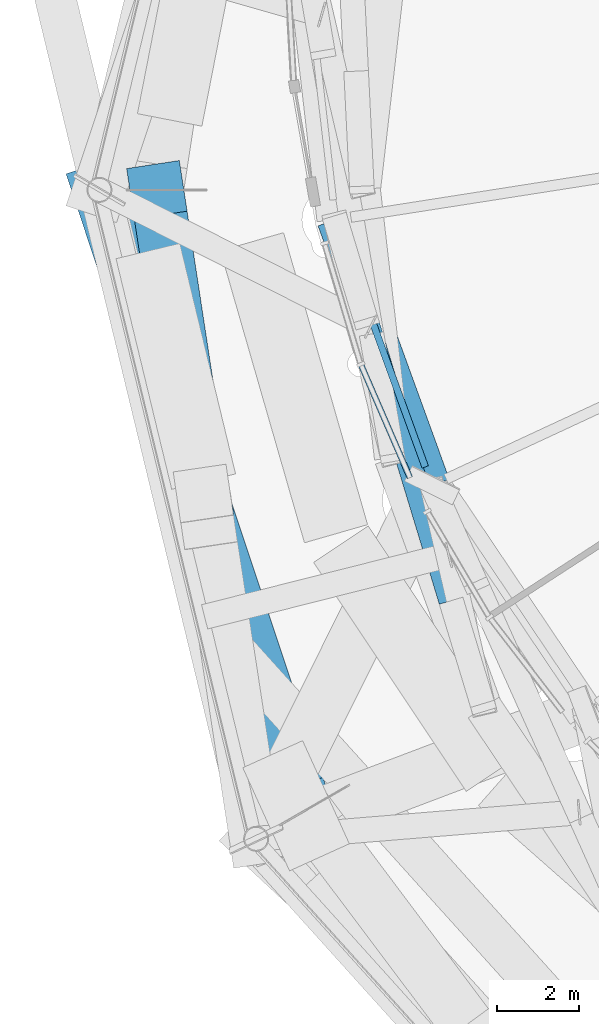
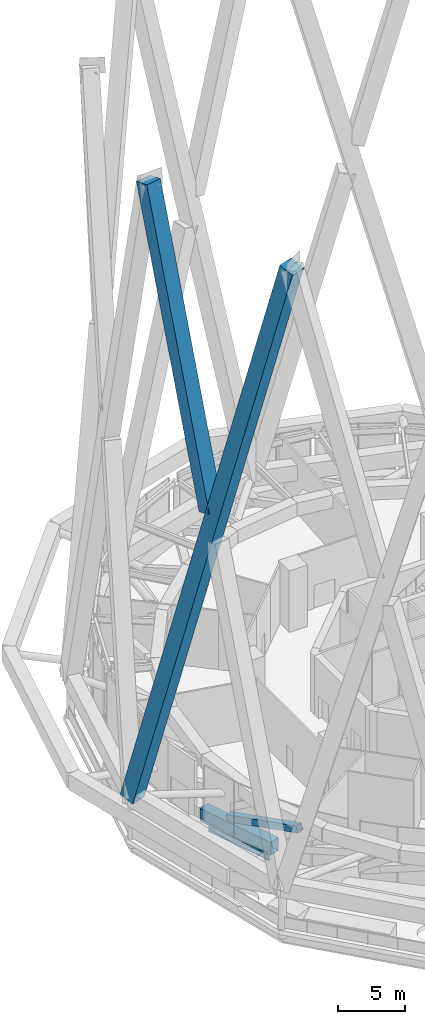
# One storey, part 5 of 48: 3 beams, 3 members, 1 element without a shape of its own.
"""IFC4 building model written with IfcOpenShell, lengths in metres."""

from ifc_helpers import new_model, si_unit, direction, frame, origin, origin_2d, place, context, subcontext, project, spatial, rectangle, hollow_rectangle, i_section, extrude, material, layer, layer_set, material_profile, profile_set, type_object, element, aggregate, save


model = new_model("IFC4")

# Units and contexts
model_context = context("Model", 3, precision=1e-05, world=origin(), true_north=direction((0.0, 1.0)))
body_context = subcontext(model_context, "Body", "Model", "MODEL_VIEW")
ifc_project = project(units=[si_unit("LENGTHUNIT", "METRE"), si_unit("AREAUNIT", "SQUARE_METRE"), si_unit("VOLUMEUNIT", "CUBIC_METRE"), si_unit("PLANEANGLEUNIT", "RADIAN"), si_unit("MASSUNIT", "GRAM", prefix="KILO")], contexts=[model_context])

# Site, building, storey
site_placement = place(None, origin())
site = spatial("IfcSite", under=ifc_project, at=site_placement, CompositionType="ELEMENT")
building_placement = place(site_placement, origin())
building = spatial("IfcBuilding", under=site, at=building_placement, Name="Nagisa Residences", CompositionType="ELEMENT")
storey_placement = place(building_placement, frame((0.0, 0.0, 252.89990234375)))
storey = spatial("IfcBuildingStorey", under=building, at=storey_placement, Name="L64", CompositionType="ELEMENT", Elevation=252.89990234375)

# Beams
ifc_material_1 = material(Name="Steel ASTM A572 Gr 50", Category="steel")
ifc_material_profile_1 = material_profile(ifc_material_1, hollow_rectangle(XDim=0.89990234375, YDim=1.199951171875, WallThickness=0.0400390625, at=origin_2d()), Name="BX 900x1200x40")
ifc_profile_set_1 = profile_set([ifc_material_profile_1], Name="Steel ASTM A572 Gr 50")
beam_type_1 = type_object("IfcBeamType", Name="Belt chord 5 BX 900x1200x40", PredefinedType="BEAM", material=ifc_profile_set_1)
beam_1_placement = place(storey_placement, frame((-24.56689453125, -3.842041015625, 0.60009765625), z_axis=(0.341285604101, -0.939959646173, 0.0), x_axis=(0.939959646173, 0.341285604101, 0.0)))
element("IfcBeam", 1, at=beam_1_placement, inside=storey, type_object=beam_type_1, Name="beam:L64:bt5b14", PredefinedType="BEAM", context=body_context, shape_type="SweptSolid", body=[
    extrude(hollow_rectangle(XDim=0.89990234375, YDim=1.199951171875, WallThickness=0.0400390625, at=origin_2d()), origin(), (0.0, 0.0, 1.0), 6.899658203125),
])
ifc_material_2 = material(Name="Steel ASTM A572 Gr 50", Category="steel")
ifc_material_profile_2 = material_profile(ifc_material_2, hollow_rectangle(XDim=0.60009765625, YDim=0.60009765625, WallThickness=0.034912109375, at=origin_2d()), Name="BX 600x600x35")
ifc_profile_set_2 = profile_set([ifc_material_profile_2], Name="Steel ASTM A572 Gr 50")
beam_type_2 = type_object("IfcBeamType", Name="Belt diagonal 5 BX 600x600x35", PredefinedType="BEAM", material=ifc_profile_set_2)
beam_2_placement = place(storey_placement, frame((-23.8037109375, -6.356201171875, 1.47509765625), z_axis=(0.275546381382, -0.907879655091, 0.315956838157), x_axis=(0.956898135866, 0.290423755187, 0.0)))
element("IfcBeam", 2, at=beam_2_placement, inside=storey, type_object=beam_type_2, Name="beam:L64:bt5db14", PredefinedType="BEAM", context=body_context, shape_type="SweptSolid", body=[
    extrude(hollow_rectangle(XDim=0.60009765625, YDim=0.60009765625, WallThickness=0.034912109375, at=origin_2d()), origin(), (0.0, 0.0, 1.0), 7.56396484375),
])

# Curtain wall, member
ifc_material_3 = material(Name="Aluminium curtain wall system", Category="aluminium")
ifc_layer = layer(ifc_material_3, 0.159912109375)
ifc_layer_set = layer_set([ifc_layer], Name="CW2 CURTAIN WALL")
curtain_wall_type = type_object("IfcCurtainWallType", Name="CW2 CURTAIN WALL", PredefinedType="NOTDEFINED", material=ifc_layer_set)
curtain_wall_placement = place(storey_placement, origin())
curtain_wall = element("IfcCurtainWall", 3, at=curtain_wall_placement, inside=storey, type_object=curtain_wall_type, Name="cw:CW2:L64:27", PredefinedType="NOTDEFINED")
ifc_material_4 = material(Name="Aluminium", Category="aluminium")
ifc_material_profile_3 = material_profile(ifc_material_4, rectangle(XDim=0.139892578125, YDim=0.179931640625, at=origin_2d()), Name="CW2 TRANSOM 140x180")
ifc_profile_set_3 = profile_set([ifc_material_profile_3], Name="Aluminium")
member_type_1 = type_object("IfcMemberType", Name="CW2 TRANSOM 140x180", PredefinedType="USERDEFINED", material=ifc_profile_set_3)
member_1_placement = place(storey_placement, frame((-23.96435546875, -7.332275390625, 0.090087890625), z_axis=(0.397652335812, -0.917536168128, 0.0), x_axis=(0.917536168128, 0.397652335812, 0.0)))
member_1 = element("IfcMember", 4, at=member_1_placement, type_object=member_type_1, Name="CW2 transom", ObjectType="TRANSOM", PredefinedType="USERDEFINED", context=body_context, shape_type="SweptSolid", body=[
    extrude(rectangle(XDim=0.139892578125, YDim=0.179931640625, at=origin_2d()), origin(), (0.0, 0.0, 1.0), 3.052001953125),
])
aggregate(curtain_wall, [member_1])

# Members
ifc_material_5 = material(Name="Concrete C80", Category="concrete")
ifc_material_profile_4 = material_profile(ifc_material_5, rectangle(XDim=1.300048828125, YDim=1.300048828125, at=origin_2d()), Name="C80 1300x1300")
ifc_profile_set_4 = profile_set([ifc_material_profile_4], Name="Concrete C80")
member_type_2 = type_object("IfcMemberType", Name="Cage diagonal 6 C80 1300x1300", PredefinedType="BRACE", material=ifc_profile_set_4)
member_2_placement = place(storey_placement, frame((-30.320068359375, -3.11767578125, 3.7001953125), z_axis=(0.087025828484, -0.261419392233, 0.961294131128), x_axis=(0.948807318193, 0.315855462107, 0.0)))
element("IfcMember", 5, at=member_2_placement, inside=storey, type_object=member_type_2, Name="mem:L64:cg6d013", PredefinedType="BRACE", context=body_context, shape_type="SweptSolid", body=[
    extrude(rectangle(XDim=1.300048828125, YDim=1.300048828125, at=origin_2d()), origin(), (0.0, 0.0, 1.0), 57.838623046875),
])
member_3_placement = place(storey_placement, frame((-27.78759765625, -10.51708984375, 33.29443359375), z_axis=(-0.041842605025, 0.273429424987, 0.96098155339), x_axis=(-0.988492793023, -0.151267967997, 0.0)))
element("IfcMember", 6, at=member_3_placement, inside=storey, type_object=member_type_2, Name="mem:L64:cg6d014b", PredefinedType="BRACE", context=body_context, shape_type="SweptSolid", body=[
    extrude(rectangle(XDim=1.300048828125, YDim=1.300048828125, at=origin_2d()), origin(), (0.0, 0.0, 1.0), 27.0615234375),
])

# Beam
ifc_material_6 = material(Name="Steel ASTM A572 Gr 50", Category="steel")
ifc_material_profile_5 = material_profile(ifc_material_6, i_section(OverallWidth=0.166015625, OverallDepth=0.534912109375, WebThickness=0.01025390625, FlangeThickness=0.0166015625, at=origin_2d()), Name="W530x85")
ifc_profile_set_5 = profile_set([ifc_material_profile_5], Name="Steel ASTM A572 Gr 50")
beam_type_3 = type_object("IfcBeamType", Name="Perimeter ring beam W530x85", PredefinedType="BEAM", material=ifc_profile_set_5)
beam_3_placement = place(storey_placement, frame((-24.40185546875, -4.29638671875, -0.617431640625), z_axis=(0.341290329164, -0.939957930558, 0.0), x_axis=(0.939957930558, 0.341290329164, 0.0)))
element("IfcBeam", 7, at=beam_3_placement, inside=storey, type_object=beam_type_3, Name="beam:L64:pb14", PredefinedType="BEAM", context=body_context, shape_type="SweptSolid", body=[
    extrude(i_section(OverallWidth=0.166015625, OverallDepth=0.534912109375, WebThickness=0.01025390625, FlangeThickness=0.0166015625, at=origin_2d()), origin(), (0.0, 0.0, 1.0), 5.932373046875),
])

save(model, "model.ifc")
